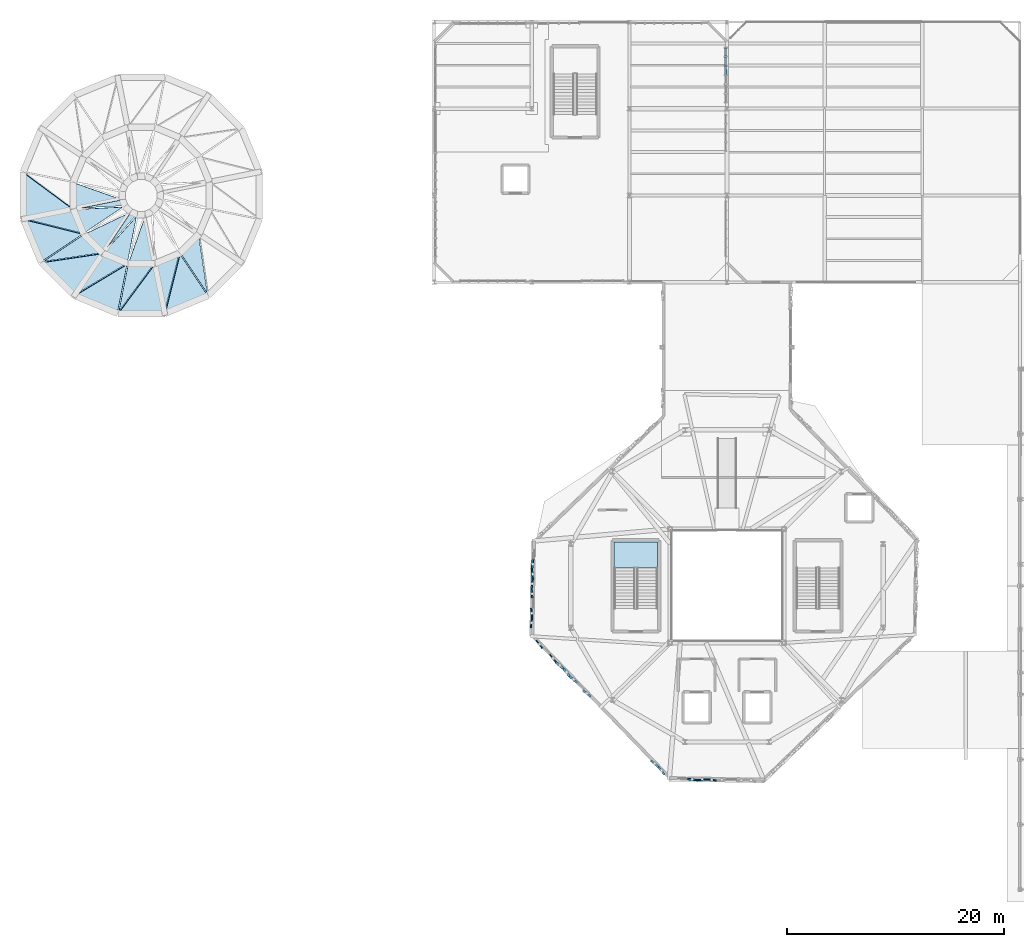
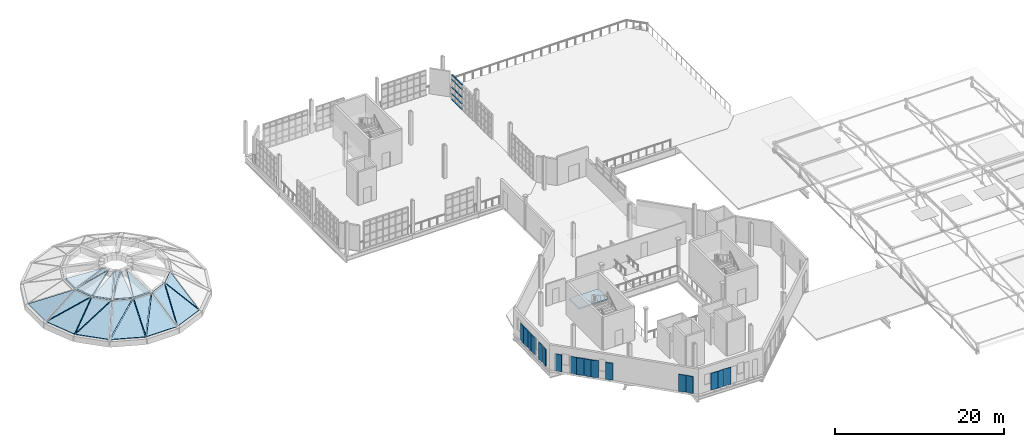
# One storey, part 66 of 85: 20 slabs, 17 plates, 15 members, 2 elements without a shape of their own.
"""IFC4 building model written with IfcOpenShell, lengths in metres."""

from ifc_helpers import new_model, si_unit, direction, frame, frame_2d, origin, origin_2d, place, context, subcontext, project, spatial, polyline, rectangle, hollow_rectangle, outline, extrude, material, layer, layer_set, material_profile, profile_set, type_object, element, aggregate, save


model = new_model("IFC4")

# Units and contexts
model_context = context("Model", 3, precision=1e-05, world=origin(), true_north=direction((0.0, 1.0)))
body_context = subcontext(model_context, "Body", "Model", "MODEL_VIEW")
ifc_project = project(units=[si_unit("LENGTHUNIT", "METRE"), si_unit("AREAUNIT", "SQUARE_METRE"), si_unit("VOLUMEUNIT", "CUBIC_METRE"), si_unit("PLANEANGLEUNIT", "RADIAN"), si_unit("MASSUNIT", "GRAM", prefix="KILO"), si_unit("THERMODYNAMICTEMPERATUREUNIT", "KELVIN"), si_unit("POWERUNIT", "WATT")], contexts=[model_context])

# Site, building, storey
site_placement = place(None, origin())
site = spatial("IfcSite", under=ifc_project, at=site_placement, CompositionType="ELEMENT")
building_placement = place(site_placement, origin())
building = spatial("IfcBuilding", under=site, at=building_placement, Name="Zelmaris Science Centre", CompositionType="ELEMENT")
storey_placement = place(building_placement, frame((0.0, 0.0, 20.39990234375)))
storey = spatial("IfcBuildingStorey", under=building, at=storey_placement, Name="L04", CompositionType="ELEMENT", Elevation=20.39990234375)

# Curtain wall, members
ifc_material_1 = material(Name="Anodised architectural aluminium 6063-T6", Category="aluminium")
ifc_layer_1 = layer(ifc_material_1, 0.18994140625, Name="Anodised architectural aluminium 6063-T6")
ifc_layer_set_1 = layer_set([ifc_layer_1], Name="Anodised architectural aluminium 6063-T6")
curtain_wall_type = type_object("IfcCurtainWallType", Name="Curtain Wall CW-01", PredefinedType="USERDEFINED", material=ifc_layer_set_1)
curtain_wall_placement = place(storey_placement, origin())
curtain_wall = element("IfcCurtainWall", 1, at=curtain_wall_placement, inside=storey, type_object=curtain_wall_type, Name="L04 Unitised curtain wall 345", ObjectType="GLAZED CURTAIN WALL", PredefinedType="USERDEFINED")
ifc_material_profile = material_profile(ifc_material_1, hollow_rectangle(XDim=0.080078125, YDim=0.18994140625, WallThickness=0.00439453125, at=origin_2d()), Name="ALU-TRN-80X190")
ifc_profile_set = profile_set([ifc_material_profile], Name="Anodised architectural aluminium 6063-T6")
member_type = type_object("IfcMemberType", Name="ALU-TRN-80X190", PredefinedType="USERDEFINED", material=ifc_profile_set)
member_1_placement = place(storey_placement, frame((80.88037109375, 85.587890625, 0.02099609375), z_axis=(0.00065509321, -0.999999785426, 0.0), x_axis=(0.0, 0.0, 1.0)))
member_1 = element("IfcMember", 2, at=member_1_placement, type_object=member_type, Name="CW-01 transom 1.1", ObjectType="TRANSOM", PredefinedType="USERDEFINED", context=body_context, shape_type="SweptSolid", body=[
    extrude(hollow_rectangle(XDim=0.080078125, YDim=0.18994140625, WallThickness=0.00439453125, at=origin_2d()), origin(), (0.0, 0.0, 1.0), 0.745361328125),
])
member_2_placement = place(storey_placement, frame((80.88037109375, 85.587890625, 0.835205078125), z_axis=(0.00065509321, -0.999999785426, 0.0), x_axis=(0.0, 0.0, 1.0)))
member_2 = element("IfcMember", 3, at=member_2_placement, type_object=member_type, Name="CW-01 transom 1.2", ObjectType="TRANSOM", PredefinedType="USERDEFINED", context=body_context, shape_type="SweptSolid", body=[
    extrude(hollow_rectangle(XDim=0.080078125, YDim=0.18994140625, WallThickness=0.00439453125, at=origin_2d()), origin(), (0.0, 0.0, 1.0), 0.745361328125),
])
member_3_placement = place(storey_placement, frame((80.88037109375, 85.587890625, 1.78662109375), z_axis=(0.00065509321, -0.999999785426, 0.0), x_axis=(0.0, 0.0, 1.0)))
member_3 = element("IfcMember", 4, at=member_3_placement, type_object=member_type, Name="CW-01 transom 1.3", ObjectType="TRANSOM", PredefinedType="USERDEFINED", context=body_context, shape_type="SweptSolid", body=[
    extrude(hollow_rectangle(XDim=0.080078125, YDim=0.18994140625, WallThickness=0.00439453125, at=origin_2d()), origin(), (0.0, 0.0, 1.0), 0.745361328125),
])
member_4_placement = place(storey_placement, frame((80.88037109375, 85.587890625, 2.88818359375), z_axis=(0.00065509321, -0.999999785426, 0.0), x_axis=(0.0, 0.0, 1.0)))
member_4 = element("IfcMember", 5, at=member_4_placement, type_object=member_type, Name="CW-01 transom 1.4", ObjectType="TRANSOM", PredefinedType="USERDEFINED", context=body_context, shape_type="SweptSolid", body=[
    extrude(hollow_rectangle(XDim=0.080078125, YDim=0.18994140625, WallThickness=0.00439453125, at=origin_2d()), origin(), (0.0, 0.0, 1.0), 0.745361328125),
])
member_5_placement = place(storey_placement, frame((80.88037109375, 85.587890625, 3.552001953125), z_axis=(0.00065509321, -0.999999785426, 0.0), x_axis=(0.0, 0.0, 1.0)))
member_5 = element("IfcMember", 6, at=member_5_placement, type_object=member_type, Name="CW-01 transom 1.5", ObjectType="TRANSOM", PredefinedType="USERDEFINED", context=body_context, shape_type="SweptSolid", body=[
    extrude(hollow_rectangle(XDim=0.080078125, YDim=0.18994140625, WallThickness=0.00439453125, at=origin_2d()), origin(), (0.0, 0.0, 1.0), 0.745361328125),
])
member_6_placement = place(storey_placement, frame((80.881103515625, 84.7705078125, 0.02099609375), z_axis=(0.000624999878, -0.999999804688, 0.0), x_axis=(0.0, 0.0, 1.0)))
member_6 = element("IfcMember", 7, at=member_6_placement, type_object=member_type, Name="CW-01 transom 2.1", ObjectType="TRANSOM", PredefinedType="USERDEFINED", context=body_context, shape_type="SweptSolid", body=[
    extrude(hollow_rectangle(XDim=0.080078125, YDim=0.18994140625, WallThickness=0.00439453125, at=origin_2d()), origin(), (0.0, 0.0, 1.0), 0.78125),
])
member_7_placement = place(storey_placement, frame((80.881103515625, 84.7705078125, 0.835205078125), z_axis=(0.000624999878, -0.999999804688, 0.0), x_axis=(0.0, 0.0, 1.0)))
member_7 = element("IfcMember", 8, at=member_7_placement, type_object=member_type, Name="CW-01 transom 2.2", ObjectType="TRANSOM", PredefinedType="USERDEFINED", context=body_context, shape_type="SweptSolid", body=[
    extrude(hollow_rectangle(XDim=0.080078125, YDim=0.18994140625, WallThickness=0.00439453125, at=origin_2d()), origin(), (0.0, 0.0, 1.0), 0.78125),
])
member_8_placement = place(storey_placement, frame((80.881103515625, 84.7705078125, 1.78662109375), z_axis=(0.000624999878, -0.999999804688, 0.0), x_axis=(0.0, 0.0, 1.0)))
member_8 = element("IfcMember", 9, at=member_8_placement, type_object=member_type, Name="CW-01 transom 2.3", ObjectType="TRANSOM", PredefinedType="USERDEFINED", context=body_context, shape_type="SweptSolid", body=[
    extrude(hollow_rectangle(XDim=0.080078125, YDim=0.18994140625, WallThickness=0.00439453125, at=origin_2d()), origin(), (0.0, 0.0, 1.0), 0.78125),
])
member_9_placement = place(storey_placement, frame((80.881103515625, 84.7705078125, 2.88818359375), z_axis=(0.000624999878, -0.999999804688, 0.0), x_axis=(0.0, 0.0, 1.0)))
member_9 = element("IfcMember", 10, at=member_9_placement, type_object=member_type, Name="CW-01 transom 2.4", ObjectType="TRANSOM", PredefinedType="USERDEFINED", context=body_context, shape_type="SweptSolid", body=[
    extrude(hollow_rectangle(XDim=0.080078125, YDim=0.18994140625, WallThickness=0.00439453125, at=origin_2d()), origin(), (0.0, 0.0, 1.0), 0.78125),
])
member_10_placement = place(storey_placement, frame((80.881103515625, 84.7705078125, 3.552001953125), z_axis=(0.000624999878, -0.999999804688, 0.0), x_axis=(0.0, 0.0, 1.0)))
member_10 = element("IfcMember", 11, at=member_10_placement, type_object=member_type, Name="CW-01 transom 2.5", ObjectType="TRANSOM", PredefinedType="USERDEFINED", context=body_context, shape_type="SweptSolid", body=[
    extrude(hollow_rectangle(XDim=0.080078125, YDim=0.18994140625, WallThickness=0.00439453125, at=origin_2d()), origin(), (0.0, 0.0, 1.0), 0.78125),
])
member_11_placement = place(storey_placement, frame((80.881591796875, 83.917236328125, 0.02099609375), z_axis=(0.000937499588, -0.999999560547, 0.0), x_axis=(0.0, 0.0, 1.0)))
member_11 = element("IfcMember", 12, at=member_11_placement, type_object=member_type, Name="CW-01 transom 3.1", ObjectType="TRANSOM", PredefinedType="USERDEFINED", context=body_context, shape_type="SweptSolid", body=[
    extrude(hollow_rectangle(XDim=0.080078125, YDim=0.18994140625, WallThickness=0.00439453125, at=origin_2d()), origin(), (0.0, 0.0, 1.0), 0.78125),
])
member_12_placement = place(storey_placement, frame((80.881591796875, 83.917236328125, 0.835205078125), z_axis=(0.000937499588, -0.999999560547, 0.0), x_axis=(0.0, 0.0, 1.0)))
member_12 = element("IfcMember", 13, at=member_12_placement, type_object=member_type, Name="CW-01 transom 3.2", ObjectType="TRANSOM", PredefinedType="USERDEFINED", context=body_context, shape_type="SweptSolid", body=[
    extrude(hollow_rectangle(XDim=0.080078125, YDim=0.18994140625, WallThickness=0.00439453125, at=origin_2d()), origin(), (0.0, 0.0, 1.0), 0.78125),
])
member_13_placement = place(storey_placement, frame((80.881591796875, 83.917236328125, 1.78662109375), z_axis=(0.000937499588, -0.999999560547, 0.0), x_axis=(0.0, 0.0, 1.0)))
member_13 = element("IfcMember", 14, at=member_13_placement, type_object=member_type, Name="CW-01 transom 3.3", ObjectType="TRANSOM", PredefinedType="USERDEFINED", context=body_context, shape_type="SweptSolid", body=[
    extrude(hollow_rectangle(XDim=0.080078125, YDim=0.18994140625, WallThickness=0.00439453125, at=origin_2d()), origin(), (0.0, 0.0, 1.0), 0.78125),
])
member_14_placement = place(storey_placement, frame((80.881591796875, 83.917236328125, 2.88818359375), z_axis=(0.000937499588, -0.999999560547, 0.0), x_axis=(0.0, 0.0, 1.0)))
member_14 = element("IfcMember", 15, at=member_14_placement, type_object=member_type, Name="CW-01 transom 3.4", ObjectType="TRANSOM", PredefinedType="USERDEFINED", context=body_context, shape_type="SweptSolid", body=[
    extrude(hollow_rectangle(XDim=0.080078125, YDim=0.18994140625, WallThickness=0.00439453125, at=origin_2d()), origin(), (0.0, 0.0, 1.0), 0.78125),
])
member_15_placement = place(storey_placement, frame((80.881591796875, 83.917236328125, 3.552001953125), z_axis=(0.000937499588, -0.999999560547, 0.0), x_axis=(0.0, 0.0, 1.0)))
member_15 = element("IfcMember", 16, at=member_15_placement, type_object=member_type, Name="CW-01 transom 3.5", ObjectType="TRANSOM", PredefinedType="USERDEFINED", context=body_context, shape_type="SweptSolid", body=[
    extrude(hollow_rectangle(XDim=0.080078125, YDim=0.18994140625, WallThickness=0.00439453125, at=origin_2d()), origin(), (0.0, 0.0, 1.0), 0.78125),
])
aggregate(curtain_wall, [member_1, member_2, member_3, member_4, member_5, member_6, member_7, member_8, member_9, member_10, member_11, member_12, member_13, member_14, member_15])

# Slabs
ifc_material_2 = material(Name="Concrete C40/50", Category="concrete")
ifc_layer_2 = layer(ifc_material_2, 0.25, Name="Concrete C40/50")
ifc_layer_set_2 = layer_set([ifc_layer_2], Name="Concrete C40/50")
slab_type_1 = type_object("IfcSlabType", Name="Dome Shell SL-DM250 250mm", PredefinedType="ROOF", material=ifc_layer_set_2)
slab_1_placement = place(storey_placement, frame((16.172607421875, 74.059814453125, 0.033447265625), z_axis=(-0.491275419168, 0.0, 0.871004283871), x_axis=(0.0, -1.0, 0.0)))
element("IfcSlab", 17, at=slab_1_placement, inside=storey, type_object=slab_type_1, Name="Dome shell facet B2-08A", PredefinedType="ROOF", context=body_context, shape_type="SweptSolid", body=[
    extrude(outline(polyline([(0.0, 0.0), (4.16064453125, 0.0), (3.280029296875, 5.084322636386832), (0.0, 0.0)])), origin(), (0.0, 0.0, -1.0), 0.25),
])
slab_2_placement = place(storey_placement, frame((16.20849609375, 69.759521484375, 0.033447265625), z_axis=(-0.453884623662, -0.188011147382, 0.870999745616), x_axis=(0.382693822845, -0.923875228565, 0.0)))
element("IfcSlab", 18, at=slab_2_placement, inside=storey, type_object=slab_type_1, Name="Dome shell facet B2-09A", PredefinedType="ROOF", context=body_context, shape_type="SweptSolid", body=[
    extrude(outline(polyline([(0.0, 0.0), (4.1607286587776215, 0.0), (3.2798363102396717, 5.0842393679520255), (0.0, 0.0)])), origin(), (0.0, 0.0, -1.0), 0.25),
])
slab_3_placement = place(storey_placement, frame((16.34521484375, 69.827880859375, 0.119384765625), z_axis=(-0.453884762611, -0.187983301345, 0.871005683498), x_axis=(0.883651524375, -0.220748143673, 0.412831976153)))
element("IfcSlab", 19, at=slab_3_placement, inside=storey, type_object=slab_type_1, Name="Dome shell facet B2-09B", PredefinedType="ROOF", context=body_context, shape_type="SweptSolid", body=[
    extrude(outline(polyline([(0.0, 0.0), (5.927994356942934, -3.3306690738754696e-16), (4.6538422686200125, 1.975212064826178), (0.0, 0.0)])), origin(), (0.0, 0.0, -1.0), 0.25),
])
slab_4_placement = place(storey_placement, frame((17.887451171875, 65.80029296875, 0.033447265625), z_axis=(-0.347394808424, -0.347365981372, 0.871007303107), x_axis=(0.707077441265, -0.707136119891, 0.0)))
element("IfcSlab", 20, at=slab_4_placement, inside=storey, type_object=slab_type_1, Name="Dome shell facet B2-10A", PredefinedType="ROOF", context=body_context, shape_type="SweptSolid", body=[
    extrude(outline(polyline([(0.0, 0.0), (4.160639782237949, 2.220446049250313e-16), (3.279507325528205, 5.084378036193674), (0.0, 0.0)])), origin(), (0.0, 0.0, -1.0), 0.25),
])
slab_5_placement = place(storey_placement, frame((17.9873046875, 65.915771484375, 0.119384765625), z_axis=(-0.347399593931, -0.347348565789, 0.871012339741), x_axis=(0.900863971191, 0.13421942407, 0.412830778423)))
element("IfcSlab", 21, at=slab_5_placement, inside=storey, type_object=slab_type_1, Name="Dome shell facet B2-10B", PredefinedType="ROOF", context=body_context, shape_type="SweptSolid", body=[
    extrude(outline(polyline([(0.0, 0.0), (5.92801155560927, 1.1102230246251565e-16), (4.653984404040669, 1.9751603602627208), (0.0, 0.0)])), origin(), (0.0, 0.0, -1.0), 0.25),
])
slab_6_placement = place(storey_placement, frame((20.95361328125, 62.784912109375, 0.033447265625), z_axis=(-0.188008602277, -0.453878479431, 0.871003496766), x_axis=(0.923875228565, -0.382693822845, 0.0)))
element("IfcSlab", 22, at=slab_6_placement, inside=storey, type_object=slab_type_1, Name="Dome shell facet B2-11A", PredefinedType="ROOF", context=body_context, shape_type="SweptSolid", body=[
    extrude(outline(polyline([(0.0, 0.0), (4.1607286587776215, 0.0), (3.2797859273493497, 5.0843081941739765), (0.0, 0.0)])), origin(), (0.0, 0.0, -1.0), 0.25),
])
slab_7_placement = place(storey_placement, frame((21.001953125, 62.929931640625, 0.119384765625), z_axis=(-0.188005200843, -0.453886605943, 0.870999996212), x_axis=(0.780909864035, 0.468768317728, 0.412839010447)))
element("IfcSlab", 23, at=slab_7_placement, inside=storey, type_object=slab_type_1, Name="Dome shell facet B2-11B", PredefinedType="ROOF", context=body_context, shape_type="SweptSolid", body=[
    extrude(outline(polyline([(0.0, 0.0), (5.927893350848097, 5.551115123125783e-16), (4.653852860560871, 1.9750156372280525), (0.0, 0.0)])), origin(), (0.0, 0.0, -1.0), 0.25),
])
slab_8_placement = place(storey_placement, frame((24.940185546875, 61.172607421875, 0.033447265625), z_axis=(0.0, -0.491275419168, 0.871004283871), x_axis=(1.0, 0.0, 0.0)))
element("IfcSlab", 24, at=slab_8_placement, inside=storey, type_object=slab_type_1, Name="Dome shell facet B2-12A", PredefinedType="ROOF", context=body_context, shape_type="SweptSolid", body=[
    extrude(outline(polyline([(0.0, 0.0), (4.16064453125, 0.0), (3.280029296875, 5.084322636386832), (0.0, 0.0)])), origin(), (0.0, 0.0, -1.0), 0.25),
])
slab_9_placement = place(storey_placement, frame((24.929443359375, 61.324951171875, 0.119384765625), z_axis=(0.0, -0.491275427367, 0.871004279246), x_axis=(0.542071842283, 0.731932896296, 0.4128345348)))
element("IfcSlab", 25, at=slab_9_placement, inside=storey, type_object=slab_type_1, Name="Dome shell facet B2-12B", PredefinedType="ROOF", context=body_context, shape_type="SweptSolid", body=[
    extrude(outline(polyline([(0.0, 0.0), (5.927957616684118, -1.1102230246251565e-16), (4.653903508857946, 1.9750677690825853), (0.0, 0.0)])), origin(), (0.0, 0.0, -1.0), 0.25),
])
slab_10_placement = place(storey_placement, frame((29.240478515625, 61.20849609375, 0.033447265625), z_axis=(0.188011147382, -0.453884623662, 0.870999745616), x_axis=(0.923875228565, 0.382693822845, 0.0)))
element("IfcSlab", 26, at=slab_10_placement, inside=storey, type_object=slab_type_1, Name="Dome shell facet B2-13A", PredefinedType="ROOF", context=body_context, shape_type="SweptSolid", body=[
    extrude(outline(polyline([(0.0, 0.0), (4.1607286587776215, 0.0), (3.2798363102396717, 5.0842393679520255), (0.0, 0.0)])), origin(), (0.0, 0.0, -1.0), 0.25),
])
slab_11_placement = place(storey_placement, frame((29.172119140625, 61.34521484375, 0.119384765625), z_axis=(0.187983301345, -0.453884762611, 0.871005683498), x_axis=(0.220748143673, 0.883651524375, 0.412831976153)))
element("IfcSlab", 27, at=slab_11_placement, inside=storey, type_object=slab_type_1, Name="Dome shell facet B2-13B", PredefinedType="ROOF", context=body_context, shape_type="SweptSolid", body=[
    extrude(outline(polyline([(0.0, 0.0), (5.927994356942934, -3.3306690738754696e-16), (4.6538422686200125, 1.975212064826178), (0.0, 0.0)])), origin(), (0.0, 0.0, -1.0), 0.25),
])
slab_12_placement = place(storey_placement, frame((33.084228515625, 62.9873046875, 0.119384765625), z_axis=(0.347348565789, -0.347399593931, 0.871012339741), x_axis=(-0.13421942407, 0.900863971191, 0.412830778423)))
element("IfcSlab", 28, at=slab_12_placement, inside=storey, type_object=slab_type_1, Name="Dome shell facet B2-14B", PredefinedType="ROOF", context=body_context, shape_type="SweptSolid", body=[
    extrude(outline(polyline([(0.0, 0.0), (5.92801155560927, 1.1102230246251565e-16), (4.653984404040669, 1.9751603602627208), (0.0, 0.0)])), origin(), (0.0, 0.0, -1.0), 0.25),
])
slab_13_placement = place(storey_placement, frame((20.789306640625, 73.169921875, 2.61474609375), z_axis=(-0.216413829031, 0.0, 0.976301723139), x_axis=(0.0, -1.0, 0.0)))
element("IfcSlab", 29, at=slab_13_placement, inside=storey, type_object=slab_type_1, Name="Dome shell facet B3-08A", PredefinedType="ROOF", context=body_context, shape_type="SweptSolid", body=[
    extrude(outline(polyline([(0.0, 0.0), (2.352294921875, 0.0), (1.5068359375, 4.35341251571219), (0.0, 0.0)])), origin(), (0.0, 0.0, -1.0), 0.25),
])
slab_14_placement = place(storey_placement, frame((20.814453125, 70.7041015625, 2.61474609375), z_axis=(-0.199947472894, -0.082822866258, 0.976299841703), x_axis=(0.382690970072, -0.923876410255, 0.0)))
element("IfcSlab", 30, at=slab_14_placement, inside=storey, type_object=slab_type_1, Name="Dome shell facet B3-09A", PredefinedType="ROOF", context=body_context, shape_type="SweptSolid", body=[
    extrude(outline(polyline([(0.0, 0.0), (2.352149788655691, -1.1102230246251565e-16), (1.5067904270339434, 4.353241786643171), (0.0, 0.0)])), origin(), (0.0, 0.0, -1.0), 0.25),
])
slab_15_placement = place(storey_placement, frame((21.43701171875, 70.840576171875, 2.75390625), z_axis=(-0.199924902488, -0.082864801212, 0.976300905503), x_axis=(0.977549610978, 0.050792714095, 0.204491707099)))
element("IfcSlab", 31, at=slab_15_placement, inside=storey, type_object=slab_type_1, Name="Dome shell facet B3-09B", PredefinedType="ROOF", context=body_context, shape_type="SweptSolid", body=[
    extrude(outline(polyline([(0.0, 0.0), (4.066389686631358, 2.0816681711721685e-17), (3.8751827663416556, 0.5518755240155819), (0.0, 0.0)])), origin(), (0.0, 0.0, -1.0), 0.25),
])
slab_16_placement = place(storey_placement, frame((21.781005859375, 68.435791015625, 2.61474609375), z_axis=(-0.153027946178, -0.153027946178, 0.976301641593), x_axis=(0.707106781187, -0.707106781187, 0.0)))
element("IfcSlab", 32, at=slab_16_placement, inside=storey, type_object=slab_type_1, Name="Dome shell facet B3-10A", PredefinedType="ROOF", context=body_context, shape_type="SweptSolid", body=[
    extrude(outline(polyline([(0.0, 0.0), (2.3526492221704762, 0.0), (1.50709038080043, 4.353405115462899), (0.0, 0.0)])), origin(), (0.0, 0.0, -1.0), 0.25),
])
slab_17_placement = place(storey_placement, frame((23.54248046875, 66.7099609375, 2.61474609375), z_axis=(-0.082816872284, -0.199955464354, 0.976298713479), x_axis=(0.923891609046, -0.38265427573, 0.0)))
element("IfcSlab", 33, at=slab_17_placement, inside=storey, type_object=slab_type_1, Name="Dome shell facet B3-11A", PredefinedType="ROOF", context=body_context, shape_type="SweptSolid", body=[
    extrude(outline(polyline([(0.0, 0.0), (2.3523753462753234, -1.1102230246251565e-16), (1.5069815764027716, 4.3531394169034385), (0.0, 0.0)])), origin(), (0.0, 0.0, -1.0), 0.25),
])
slab_18_placement = place(storey_placement, frame((23.88623046875, 67.24658203125, 2.75390625), z_axis=(-0.082788989086, -0.199960290579, 0.976300089869), x_axis=(0.655294541895, 0.727164394071, 0.204501851722)))
element("IfcSlab", 34, at=slab_18_placement, inside=storey, type_object=slab_type_1, Name="Dome shell facet B3-11B", PredefinedType="ROOF", context=body_context, shape_type="SweptSolid", body=[
    extrude(outline(polyline([(0.0, 0.0), (4.066187967237092, -2.0816681711721685e-16), (3.875063573435053, 0.5518052286480843), (0.0, 0.0)])), origin(), (0.0, 0.0, -1.0), 0.25),
])
slab_19_placement = place(storey_placement, frame((25.830078125, 65.789306640625, 2.61474609375), z_axis=(0.0, -0.216413829031, 0.976301723139), x_axis=(1.0, 0.0, 0.0)))
element("IfcSlab", 35, at=slab_19_placement, inside=storey, type_object=slab_type_1, Name="Dome shell facet B3-12A", PredefinedType="ROOF", context=body_context, shape_type="SweptSolid", body=[
    extrude(outline(polyline([(0.0, 0.0), (2.352294921875, 0.0), (1.5068359375, 4.35341251571219), (0.0, 0.0)])), origin(), (0.0, 0.0, -1.0), 0.25),
])

# Plates
ifc_material_3 = material(Name="Precast concrete C40/50", Category="concrete")
ifc_layer_3 = layer(ifc_material_3, 0.110107421875, Name="Precast concrete C40/50")
ifc_layer_set_3 = layer_set([ifc_layer_3], Name="Precast concrete C40/50")
plate_type_1 = type_object("IfcPlateType", Name="Precast Facet Panel FP-01 110mm", PredefinedType="SHEET", material=ifc_layer_set_3)
plate_1_placement = place(storey_placement, frame((65.22607421875, 28.9580078125, 0.02001953125), z_axis=(0.0, 0.0, 1.0), x_axis=(-0.618322046154, 0.785924835617, 0.0)))
element("IfcPlate", 36, at=plate_1_placement, inside=storey, type_object=plate_type_1, Name="L04 Folded precast facet panel 204", PredefinedType="SHEET", context=body_context, shape_type="SweptSolid", body=[
    extrude(rectangle(XDim=0.904541015625, YDim=0.110107421875, at=frame_2d((0.4521484375, 0.0))), origin(), (0.0, 0.0, 1.0), 2.4599609375),
])
ifc_layer_4 = layer(ifc_material_3, 0.1201171875, Name="Precast concrete C40/50")
ifc_layer_set_4 = layer_set([ifc_layer_4], Name="Precast concrete C40/50")
plate_type_2 = type_object("IfcPlateType", Name="Precast Facet Panel FP-02 120mm", PredefinedType="SHEET", material=ifc_layer_set_4)
plate_2_placement = place(storey_placement, frame((63.9755859375, 30.252685546875, 0.02001953125), z_axis=(0.0, 0.0, 1.0), x_axis=(-0.61815529825, 0.786055994981, 0.0)))
element("IfcPlate", 37, at=plate_2_placement, inside=storey, type_object=plate_type_2, Name="L04 Folded precast facet panel 205", PredefinedType="SHEET", context=body_context, shape_type="SweptSolid", body=[
    extrude(rectangle(XDim=0.904541015625, YDim=0.1201171875, at=frame_2d((0.4521484375, 0.0))), origin(), (0.0, 0.0, 1.0), 2.4599609375),
])
ifc_layer_5 = layer(ifc_material_3, 0.1298828125, Name="Precast concrete C40/50")
ifc_layer_set_5 = layer_set([ifc_layer_5], Name="Precast concrete C40/50")
plate_type_3 = type_object("IfcPlateType", Name="Precast Facet Panel FP-03 130mm", PredefinedType="SHEET", material=ifc_layer_set_5)
plate_3_placement = place(storey_placement, frame((62.9150390625, 32.1455078125, 0.02001953125), z_axis=(0.0, 0.0, 1.0), x_axis=(0.118485348336, 0.992955800743, 0.0)))
element("IfcPlate", 38, at=plate_3_placement, inside=storey, type_object=plate_type_3, Name="L04 Folded precast facet panel 206", PredefinedType="SHEET", context=body_context, shape_type="SweptSolid", body=[
    extrude(rectangle(XDim=0.904541015625, YDim=0.1298828125, at=frame_2d((0.4521484375, 0.0))), origin(), (0.0, 0.0, 1.0), 2.4599609375),
])
ifc_layer_6 = layer(ifc_material_3, 0.139892578125, Name="Precast concrete C40/50")
ifc_layer_set_6 = layer_set([ifc_layer_6], Name="Precast concrete C40/50")
plate_type_4 = type_object("IfcPlateType", Name="Precast Facet Panel FP-04 140mm", PredefinedType="SHEET", material=ifc_layer_set_6)
plate_4_placement = place(storey_placement, frame((80.05810546875, 18.057861328125, 0.02001953125), z_axis=(0.0, 0.0, 1.0), x_axis=(-0.992924012378, 0.118751444807, 0.0)))
element("IfcPlate", 39, at=plate_4_placement, inside=storey, type_object=plate_type_4, Name="L04 Folded precast facet panel 195", PredefinedType="SHEET", context=body_context, shape_type="SweptSolid", body=[
    extrude(rectangle(XDim=0.904541015625, YDim=0.139892578125, at=frame_2d((0.4521484375, 0.0))), origin(), (0.0, 0.0, 1.0), 2.4599609375),
])
plate_5_placement = place(storey_placement, frame((63.022216796875, 33.043701171875, 0.02001953125), z_axis=(0.0, 0.0, 1.0), x_axis=(-0.083916339525, 0.996472803423, 0.0)))
element("IfcPlate", 40, at=plate_5_placement, inside=storey, type_object=plate_type_4, Name="L04 Folded precast facet panel 207", PredefinedType="SHEET", context=body_context, shape_type="SweptSolid", body=[
    extrude(rectangle(XDim=0.90478515625, YDim=0.139892578125, at=frame_2d((0.452392578125, 0.0))), origin(), (0.0, 0.0, 1.0), 2.4599609375),
])
ifc_layer_7 = layer(ifc_material_3, 0.14990234375, Name="Precast concrete C40/50")
ifc_layer_set_7 = layer_set([ifc_layer_7], Name="Precast concrete C40/50")
plate_type_5 = type_object("IfcPlateType", Name="Precast Facet Panel FP-05 150mm", PredefinedType="SHEET", material=ifc_layer_set_7)
plate_6_placement = place(storey_placement, frame((79.159912109375, 18.165283203125, 0.02001953125), z_axis=(0.0, 0.0, 1.0), x_axis=(-0.996470902544, -0.083938908638, 0.0)))
element("IfcPlate", 41, at=plate_6_placement, inside=storey, type_object=plate_type_5, Name="L04 Folded precast facet panel 196", PredefinedType="SHEET", context=body_context, shape_type="SweptSolid", body=[
    extrude(rectangle(XDim=0.904541015625, YDim=0.14990234375, at=frame_2d((0.4521484375, 0.0))), origin(), (0.0, 0.0, 1.0), 2.4599609375),
])
plate_7_placement = place(storey_placement, frame((63.0537109375, 34.843505859375, 0.02001953125), z_axis=(0.0, 0.0, 1.0), x_axis=(-0.083916339525, 0.996472803423, 0.0)))
element("IfcPlate", 42, at=plate_7_placement, inside=storey, type_object=plate_type_5, Name="L04 Folded precast facet panel 208", PredefinedType="SHEET", context=body_context, shape_type="SweptSolid", body=[
    extrude(rectangle(XDim=0.90478515625, YDim=0.14990234375, at=frame_2d((0.452392578125, 0.0))), origin(), (0.0, 0.0, 1.0), 2.4599609375),
])
ifc_layer_8 = layer(ifc_material_3, 0.159912109375, Name="Precast concrete C40/50")
ifc_layer_set_8 = layer_set([ifc_layer_8], Name="Precast concrete C40/50")
plate_type_6 = type_object("IfcPlateType", Name="Precast Facet Panel FP-06 160mm", PredefinedType="SHEET", material=ifc_layer_set_8)
plate_8_placement = place(storey_placement, frame((78.258544921875, 18.08935546875, 0.02001953125), z_axis=(0.0, 0.0, 1.0), x_axis=(-0.992959588263, 0.118453603056, 0.0)))
element("IfcPlate", 43, at=plate_8_placement, inside=storey, type_object=plate_type_6, Name="L04 Folded precast facet panel 197", PredefinedType="SHEET", context=body_context, shape_type="SweptSolid", body=[
    extrude(rectangle(XDim=0.90478515625, YDim=0.159912109375, at=frame_2d((0.452392578125, 0.0))), origin(), (0.0, 0.0, 1.0), 2.4599609375),
])
plate_9_placement = place(storey_placement, frame((62.977783203125, 35.7451171875, 0.02001953125), z_axis=(0.0, 0.0, 1.0), x_axis=(0.118751444807, 0.992924012378, 0.0)))
element("IfcPlate", 44, at=plate_9_placement, inside=storey, type_object=plate_type_6, Name="L04 Folded precast facet panel 209", PredefinedType="SHEET", context=body_context, shape_type="SweptSolid", body=[
    extrude(rectangle(XDim=0.904541015625, YDim=0.159912109375, at=frame_2d((0.4521484375, 0.0))), origin(), (0.0, 0.0, 1.0), 2.4599609375),
])
ifc_layer_9 = layer(ifc_material_3, 0.169921875, Name="Precast concrete C40/50")
ifc_layer_set_9 = layer_set([ifc_layer_9], Name="Precast concrete C40/50")
plate_type_7 = type_object("IfcPlateType", Name="Precast Facet Panel FP-07 170mm", PredefinedType="SHEET", material=ifc_layer_set_9)
plate_10_placement = place(storey_placement, frame((75.229248046875, 18.599365234375, 0.02001953125), z_axis=(0.0, 0.0, 1.0), x_axis=(-0.618190910202, 0.786027988397, 0.0)))
element("IfcPlate", 45, at=plate_10_placement, inside=storey, type_object=plate_type_7, Name="L04 Folded precast facet panel 198", PredefinedType="SHEET", context=body_context, shape_type="SweptSolid", body=[
    extrude(rectangle(XDim=0.90478515625, YDim=0.169921875, at=frame_2d((0.452392578125, 0.0))), origin(), (0.0, 0.0, 1.0), 2.4599609375),
])
plate_11_placement = place(storey_placement, frame((63.085205078125, 36.643310546875, 0.02001953125), z_axis=(0.0, 0.0, 1.0), x_axis=(-0.083938908638, 0.996470902544, 0.0)))
element("IfcPlate", 46, at=plate_11_placement, inside=storey, type_object=plate_type_7, Name="L04 Folded precast facet panel 210", PredefinedType="SHEET", context=body_context, shape_type="SweptSolid", body=[
    extrude(rectangle(XDim=0.904541015625, YDim=0.169921875, at=frame_2d((0.4521484375, 0.0))), origin(), (0.0, 0.0, 1.0), 2.4599609375),
])
ifc_layer_10 = layer(ifc_material_3, 0.179931640625, Name="Precast concrete C40/50")
ifc_layer_set_10 = layer_set([ifc_layer_10], Name="Precast concrete C40/50")
plate_type_8 = type_object("IfcPlateType", Name="Precast Facet Panel FP-08 180mm", PredefinedType="SHEET", material=ifc_layer_set_10)
for number, where, z_axis, x_axis, name in (
    (47, (74.669921875, 19.310546875, 0.02001953125), (0.0, 0.0, 1.0), (-0.763979659586, 0.645240327118, 0.0), "L04 Folded precast facet panel 199"),
    (48, (63.00927734375, 37.544677734375, 0.02001953125), (0.0, 0.0, 1.0), (0.118453603056, 0.992959588263, 0.0), "L04 Folded precast facet panel 211"),
):
    element("IfcPlate", number, at=place(storey_placement, frame(where, z_axis=z_axis, x_axis=x_axis)), inside=storey, type_object=plate_type_8, Name=name, PredefinedType="SHEET", context=body_context, shape_type="SweptSolid", body=[
        extrude(rectangle(XDim=0.90478515625, YDim=0.179931640625, at=frame_2d((0.452392578125, 0.0))), origin(), (0.0, 0.0, 1.0), 2.4599609375),
    ])
ifc_layer_11 = layer(ifc_material_3, 0.18994140625, Name="Precast concrete C40/50")
ifc_layer_set_11 = layer_set([ifc_layer_11], Name="Precast concrete C40/50")
plate_type_9 = type_object("IfcPlateType", Name="Precast Facet Panel FP-09 190mm", PredefinedType="SHEET", material=ifc_layer_set_11)
plate_12_placement = place(storey_placement, frame((68.41796875, 25.784423828125, 0.02001953125), z_axis=(0.0, 0.0, 1.0), x_axis=(-0.763846637855, 0.645397795037, 0.0)))
element("IfcPlate", 49, at=plate_12_placement, inside=storey, type_object=plate_type_9, Name="L04 Folded precast facet panel 200", PredefinedType="SHEET", context=body_context, shape_type="SweptSolid", body=[
    extrude(rectangle(XDim=0.90478515625, YDim=0.18994140625, at=frame_2d((0.452392578125, 0.0))), origin(), (0.0, 0.0, 1.0), 2.4599609375),
])
ifc_layer_12 = layer(ifc_material_3, 0.199951171875, Name="Precast concrete C40/50")
ifc_layer_set_12 = layer_set([ifc_layer_12], Name="Precast concrete C40/50")
plate_type_10 = type_object("IfcPlateType", Name="Precast Facet Panel FP-10 200mm", PredefinedType="SHEET", material=ifc_layer_set_12)
plate_13_placement = place(storey_placement, frame((67.16748046875, 27.079345703125, 0.02001953125), z_axis=(0.0, 0.0, 1.0), x_axis=(-0.763979659586, 0.645240327118, 0.0)))
element("IfcPlate", 50, at=plate_13_placement, inside=storey, type_object=plate_type_10, Name="L04 Folded precast facet panel 201", PredefinedType="SHEET", context=body_context, shape_type="SweptSolid", body=[
    extrude(rectangle(XDim=0.90478515625, YDim=0.199951171875, at=frame_2d((0.452392578125, 0.0))), origin(), (0.0, 0.0, 1.0), 2.4599609375),
])
ifc_layer_13 = layer(ifc_material_3, 0.2099609375, Name="Precast concrete C40/50")
ifc_layer_set_13 = layer_set([ifc_layer_13], Name="Precast concrete C40/50")
plate_type_11 = type_object("IfcPlateType", Name="Precast Facet Panel FP-11 210mm", PredefinedType="SHEET", material=ifc_layer_set_13)
plate_14_placement = place(storey_placement, frame((66.476318359375, 27.6630859375, 0.02001953125), z_axis=(0.0, 0.0, 1.0), x_axis=(-0.618322046154, 0.785924835617, 0.0)))
element("IfcPlate", 51, at=plate_14_placement, inside=storey, type_object=plate_type_11, Name="L04 Folded precast facet panel 202", PredefinedType="SHEET", context=body_context, shape_type="SweptSolid", body=[
    extrude(rectangle(XDim=0.904541015625, YDim=0.2099609375, at=frame_2d((0.4521484375, 0.0))), origin(), (0.0, 0.0, 1.0), 2.4599609375),
])
ifc_layer_14 = layer(ifc_material_3, 0.219970703125, Name="Precast concrete C40/50")
ifc_layer_set_14 = layer_set([ifc_layer_14], Name="Precast concrete C40/50")
plate_type_12 = type_object("IfcPlateType", Name="Precast Facet Panel FP-12 220mm", PredefinedType="SHEET", material=ifc_layer_set_14)
plate_15_placement = place(storey_placement, frame((65.9169921875, 28.3740234375, 0.02001953125), z_axis=(0.0, 0.0, 1.0), x_axis=(-0.763734214762, 0.64553082746, 0.0)))
element("IfcPlate", 52, at=plate_15_placement, inside=storey, type_object=plate_type_12, Name="L04 Folded precast facet panel 203", PredefinedType="SHEET", context=body_context, shape_type="SweptSolid", body=[
    extrude(rectangle(XDim=0.904541015625, YDim=0.219970703125, at=frame_2d((0.4521484375, 0.0))), origin(), (0.0, 0.0, 1.0), 2.4599609375),
])

# Stair, slab
stair_type = type_object("IfcStairType", Name="Exit Stair ST-B W1900", PredefinedType="HALF_TURN_STAIR", material=ifc_material_2)
stair_placement = place(storey_placement, origin())
stair = element("IfcStair", 53, at=stair_placement, inside=storey, type_object=stair_type, Name="L04 Exit Stair Core ST-1", PredefinedType="HALF_TURN_STAIR")
ifc_material_4 = material(Name="Concrete C35/45", Category="concrete")
ifc_layer_15 = layer(ifc_material_4, 0.18994140625, Name="Concrete C35/45")
ifc_layer_set_15 = layer_set([ifc_layer_15], Name="Concrete C35/45")
slab_type_2 = type_object("IfcSlabType", Name="Slab SL-LD190 190mm", PredefinedType="LANDING", material=ifc_layer_set_15)
slab_20_placement = place(storey_placement, frame((0.0, 0.0, 2.210205078125)))
slab_20 = element("IfcSlab", 54, at=slab_20_placement, type_object=slab_type_2, Name="ST-1 landing 1", PredefinedType="LANDING", context=body_context, shape_type="SweptSolid", body=[
    extrude(outline(polyline([(74.60009765625, 37.669921875), (74.60009765625, 40.050048828125), (70.60009765625, 40.050048828125), (70.60009765625, 37.669921875), (74.60009765625, 37.669921875)])), origin(), (0.0, 0.0, 1.0), 0.18994140625),
])
aggregate(stair, [slab_20])

save(model, "model.ifc")
